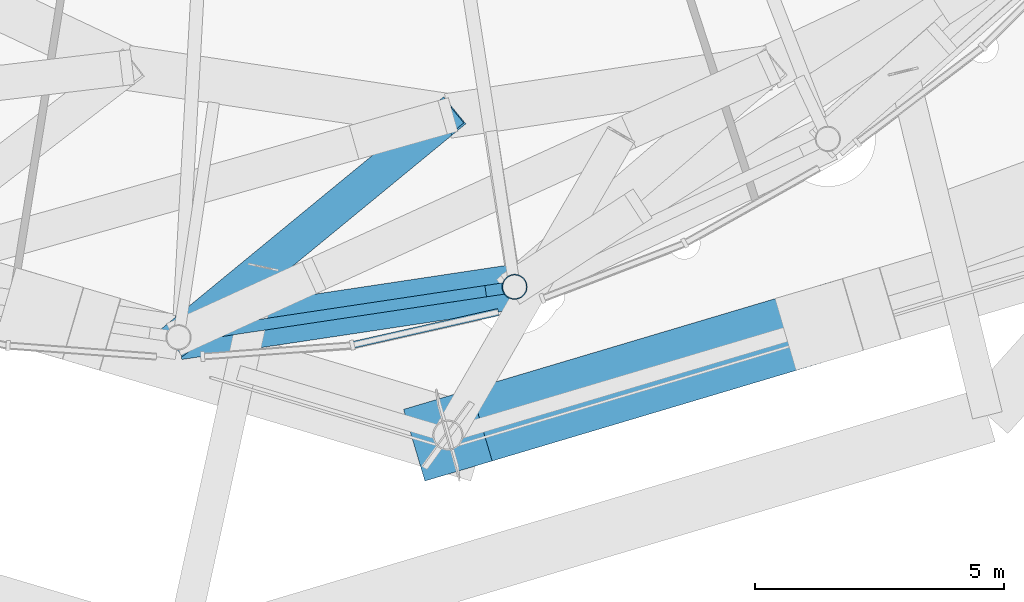
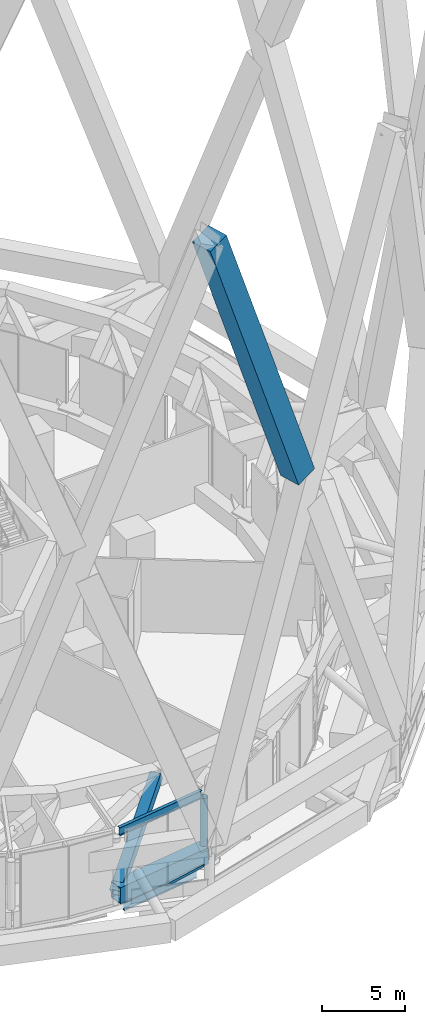
# One storey, part 13 of 49: 4 beams, 3 members, 1 element without a shape of its own.
"""IFC4 building model written with IfcOpenShell, lengths in metres."""

from ifc_helpers import new_model, si_unit, direction, frame, origin, origin_2d, place, context, subcontext, project, spatial, rectangle, hollow_rectangle, hollow_circle, i_section, extrude, material, layer, layer_set, material_profile, profile_set, type_object, element, aggregate, save


model = new_model("IFC4")

# Units and contexts
model_context = context("Model", 3, precision=1e-05, world=origin(), true_north=direction((0.0, 1.0)))
body_context = subcontext(model_context, "Body", "Model", "MODEL_VIEW")
ifc_project = project(units=[si_unit("LENGTHUNIT", "METRE"), si_unit("AREAUNIT", "SQUARE_METRE"), si_unit("VOLUMEUNIT", "CUBIC_METRE"), si_unit("PLANEANGLEUNIT", "RADIAN"), si_unit("MASSUNIT", "GRAM", prefix="KILO")], contexts=[model_context])

# Site, building, storey
site_placement = place(None, origin())
site = spatial("IfcSite", under=ifc_project, at=site_placement, CompositionType="ELEMENT")
building_placement = place(site_placement, origin())
building = spatial("IfcBuilding", under=site, at=building_placement, Name="Nagisa Residences", CompositionType="ELEMENT")
storey_placement = place(building_placement, frame((0.0, 0.0, 160.300048828125)))
storey = spatial("IfcBuildingStorey", under=building, at=storey_placement, Name="L40", CompositionType="ELEMENT", Elevation=160.300048828125)

# Beams
ifc_material_1 = material(Name="Steel ASTM A572 Gr 50", Category="steel")
ifc_material_profile_1 = material_profile(ifc_material_1, hollow_rectangle(XDim=0.89990234375, YDim=1.199951171875, WallThickness=0.044921875, at=origin_2d()), Name="BX 900x1200x45")
ifc_profile_set_1 = profile_set([ifc_material_profile_1], Name="Steel ASTM A572 Gr 50")
beam_type_1 = type_object("IfcBeamType", Name="Belt chord 3 BX 900x1200x45", PredefinedType="BEAM", material=ifc_profile_set_1)
beam_1_placement = place(storey_placement, frame((-1.800048828125, -32.812744140625, 0.599853515625), z_axis=(0.988910056119, 0.14851565879, 0.0), x_axis=(-0.14851565879, 0.988910056119, 0.0)))
element("IfcBeam", 1, at=beam_1_placement, inside=storey, type_object=beam_type_1, Name="beam:L40:bt3b19", PredefinedType="BEAM", context=body_context, shape_type="SweptSolid", body=[
    extrude(hollow_rectangle(XDim=0.89990234375, YDim=1.199951171875, WallThickness=0.044921875, at=origin_2d()), origin(), (0.0, 0.0, 1.0), 6.81396484375),
])
ifc_material_2 = material(Name="Steel ASTM A572 Gr 50", Category="steel")
ifc_material_profile_2 = material_profile(ifc_material_2, hollow_rectangle(XDim=0.699951171875, YDim=0.699951171875, WallThickness=0.0400390625, at=origin_2d()), Name="BX 700x700x40")
ifc_profile_set_2 = profile_set([ifc_material_profile_2], Name="Steel ASTM A572 Gr 50")
beam_type_2 = type_object("IfcBeamType", Name="Belt diagonal 3 BX 700x700x40", PredefinedType="BEAM", material=ifc_profile_set_2)
beam_2_placement = place(storey_placement, frame((-1.800048828125, -32.812744140625, 0.599853515625), z_axis=(0.664732794254, 0.546265563594, 0.509631480851), x_axis=(-0.634902534873, 0.772592241232, 0.0)))
element("IfcBeam", 2, at=beam_2_placement, inside=storey, type_object=beam_type_2, Name="beam:L40:bt3da19", PredefinedType="BEAM", context=body_context, shape_type="SweptSolid", body=[
    extrude(hollow_rectangle(XDim=0.699951171875, YDim=0.699951171875, WallThickness=0.0400390625, at=origin_2d()), origin(), (0.0, 0.0, 1.0), 8.123779296875),
])

# Curtain wall, member
ifc_material_3 = material(Name="Aluminium curtain wall system", Category="aluminium")
ifc_layer = layer(ifc_material_3, 0.159912109375)
ifc_layer_set = layer_set([ifc_layer], Name="CW2 CURTAIN WALL")
curtain_wall_type = type_object("IfcCurtainWallType", Name="CW2 CURTAIN WALL", PredefinedType="NOTDEFINED", material=ifc_layer_set)
curtain_wall_placement = place(storey_placement, origin())
curtain_wall = element("IfcCurtainWall", 3, at=curtain_wall_placement, inside=storey, type_object=curtain_wall_type, Name="cw:CW2:L40:37", PredefinedType="NOTDEFINED")
ifc_material_4 = material(Name="Aluminium", Category="aluminium")
ifc_material_profile_3 = material_profile(ifc_material_4, rectangle(XDim=0.139892578125, YDim=0.179931640625, at=origin_2d()), Name="CW2 TRANSOM 140x180")
ifc_profile_set_3 = profile_set([ifc_material_profile_3], Name="Aluminium")
member_type_1 = type_object("IfcMemberType", Name="CW2 TRANSOM 140x180", PredefinedType="USERDEFINED", material=ifc_profile_set_3)
member_1_placement = place(storey_placement, frame((1.645751953125, -32.976318359375, 0.08984375), z_axis=(0.975331243062, 0.220746384586, 0.0), x_axis=(-0.220746384586, 0.975331243062, 0.0)))
member_1 = element("IfcMember", 4, at=member_1_placement, type_object=member_type_1, Name="CW2 transom", ObjectType="TRANSOM", PredefinedType="USERDEFINED", context=body_context, shape_type="SweptSolid", body=[
    extrude(rectangle(XDim=0.139892578125, YDim=0.179931640625, at=origin_2d()), origin(), (0.0, 0.0, 1.0), 3.040283203125),
])
aggregate(curtain_wall, [member_1])

# Member
ifc_material_5 = material(Name="Concrete C80", Category="concrete")
ifc_material_profile_4 = material_profile(ifc_material_5, rectangle(XDim=1.5, YDim=1.5, at=origin_2d()), Name="C80 1500x1500")
ifc_profile_set_4 = profile_set([ifc_material_profile_4], Name="Concrete C80")
member_type_2 = type_object("IfcMemberType", Name="Cage diagonal 4 C80 1500x1500", PredefinedType="BRACE", material=ifc_profile_set_4)
member_2_placement = place(storey_placement, frame((11.04248046875, -32.5576171875, 27.0205078125), z_axis=(-0.329918579066, -0.09829158034, 0.938878318219), x_axis=(0.285524508722, -0.958371407607, 0.0)))
element("IfcMember", 5, at=member_2_placement, inside=storey, type_object=member_type_2, Name="mem:L40:cg4d020b", PredefinedType="BRACE", context=body_context, shape_type="SweptSolid", body=[
    extrude(rectangle(XDim=1.5, YDim=1.5, at=origin_2d()), origin(), (0.0, 0.0, 1.0), 22.558349609375),
])

# Beam
ifc_material_6 = material(Name="Steel ASTM A572 Gr 50", Category="steel")
ifc_material_profile_5 = material_profile(ifc_material_6, i_section(OverallWidth=0.22802734375, OverallDepth=0.60302734375, WebThickness=0.010498046875, FlangeThickness=0.014892578125, at=origin_2d()), Name="W610x101")
ifc_profile_set_5 = profile_set([ifc_material_profile_5], Name="Steel ASTM A572 Gr 50")
beam_type_3 = type_object("IfcBeamType", Name="Garden edge beam W610x101", PredefinedType="BEAM", material=ifc_profile_set_5)
beam_3_placement = place(storey_placement, frame((-1.568603515625, -32.77783203125, 5.038330078125), z_axis=(0.988918003, 0.148462733849, 0.0), x_axis=(-0.148462733849, 0.988918003, 0.0)))
element("IfcBeam", 6, at=beam_3_placement, inside=storey, type_object=beam_type_3, Name="beam:L40:bt3ge19", PredefinedType="BEAM", context=body_context, shape_type="SweptSolid", body=[
    extrude(i_section(OverallWidth=0.22802734375, OverallDepth=0.60302734375, WebThickness=0.010498046875, FlangeThickness=0.014892578125, at=origin_2d()), origin(), (0.0, 0.0, 1.0), 6.345947265625),
])

# Member
ifc_material_7 = material(Name="Steel ASTM A572 Gr 65", Category="steel")
ifc_material_profile_6 = material_profile(ifc_material_7, hollow_circle(Radius=0.25390625, WallThickness=0.02001953125, at=origin_2d()), Name="CHS 508x20")
ifc_profile_set_6 = profile_set([ifc_material_profile_6], Name="Steel ASTM A572 Gr 65")
member_type_3 = type_object("IfcMemberType", Name="Garden edge post CHS 508x20", PredefinedType="POST", material=ifc_profile_set_6)
member_3_placement = place(storey_placement, frame((4.938232421875, -31.80078125, 1.199951171875), z_axis=(0.0, 0.0, 1.0), x_axis=(1.0, 0.0, 0.0)))
element("IfcMember", 7, at=member_3_placement, inside=storey, type_object=member_type_3, Name="mem:L40:gp320", PredefinedType="POST", context=body_context, shape_type="SweptSolid", body=[
    extrude(hollow_circle(Radius=0.25390625, WallThickness=0.02001953125, at=origin_2d()), origin(), (0.0, 0.0, 1.0), 3.537109375),
])

# Beam
ifc_material_8 = material(Name="Steel ASTM A572 Gr 50", Category="steel")
ifc_material_profile_7 = material_profile(ifc_material_8, i_section(OverallWidth=0.22802734375, OverallDepth=0.60302734375, WebThickness=0.010498046875, FlangeThickness=0.014892578125, at=origin_2d()), Name="W610x101")
ifc_profile_set_7 = profile_set([ifc_material_profile_7], Name="Steel ASTM A572 Gr 50")
beam_type_4 = type_object("IfcBeamType", Name="Perimeter ring beam W610x101", PredefinedType="BEAM", material=ifc_profile_set_7)
beam_4_placement = place(storey_placement, frame((-1.2197265625, -32.7255859375, -0.651611328125), z_axis=(0.9889122118, 0.148501304214, 0.0), x_axis=(-0.148501304214, 0.9889122118, 0.0)))
element("IfcBeam", 8, at=beam_4_placement, inside=storey, type_object=beam_type_4, Name="beam:L40:pb19", PredefinedType="BEAM", context=body_context, shape_type="SweptSolid", body=[
    extrude(i_section(OverallWidth=0.22802734375, OverallDepth=0.60302734375, WebThickness=0.010498046875, FlangeThickness=0.014892578125, at=origin_2d()), origin(), (0.0, 0.0, 1.0), 5.640625),
])

save(model, "model.ifc")
